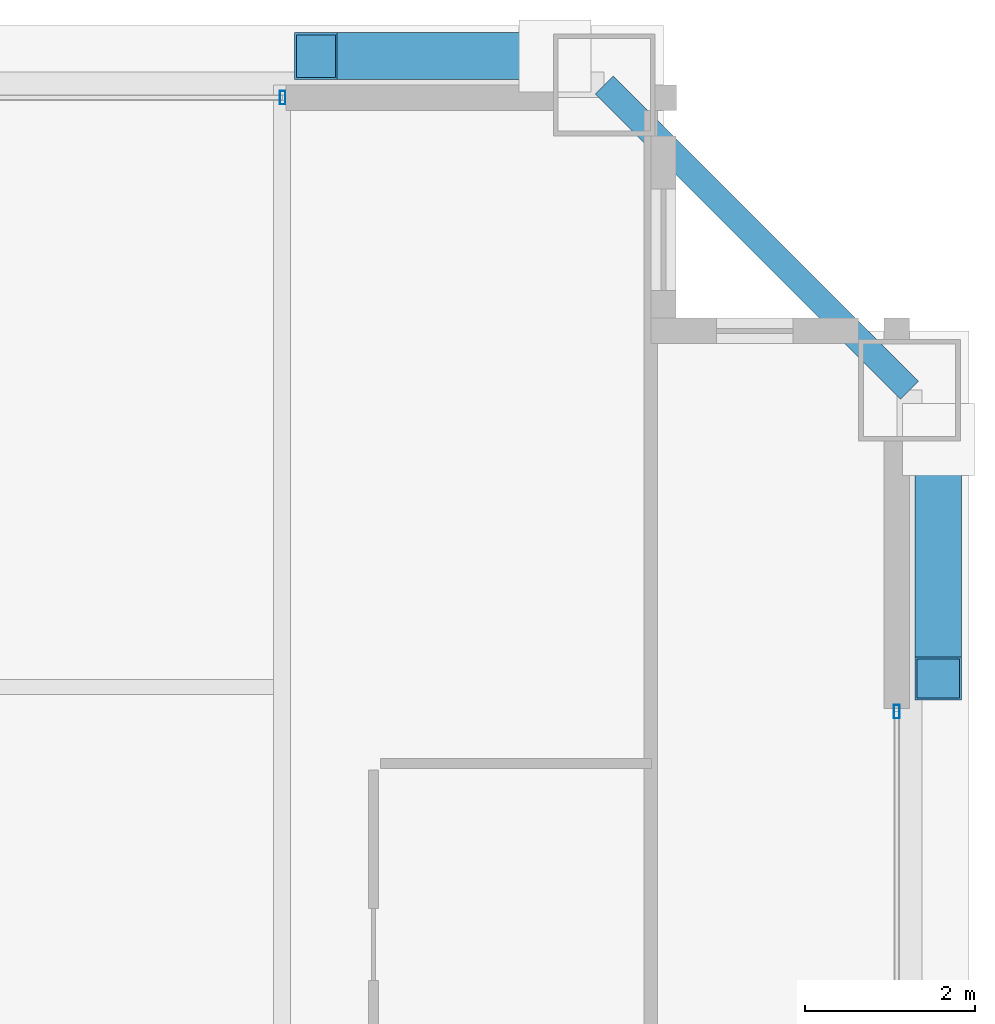
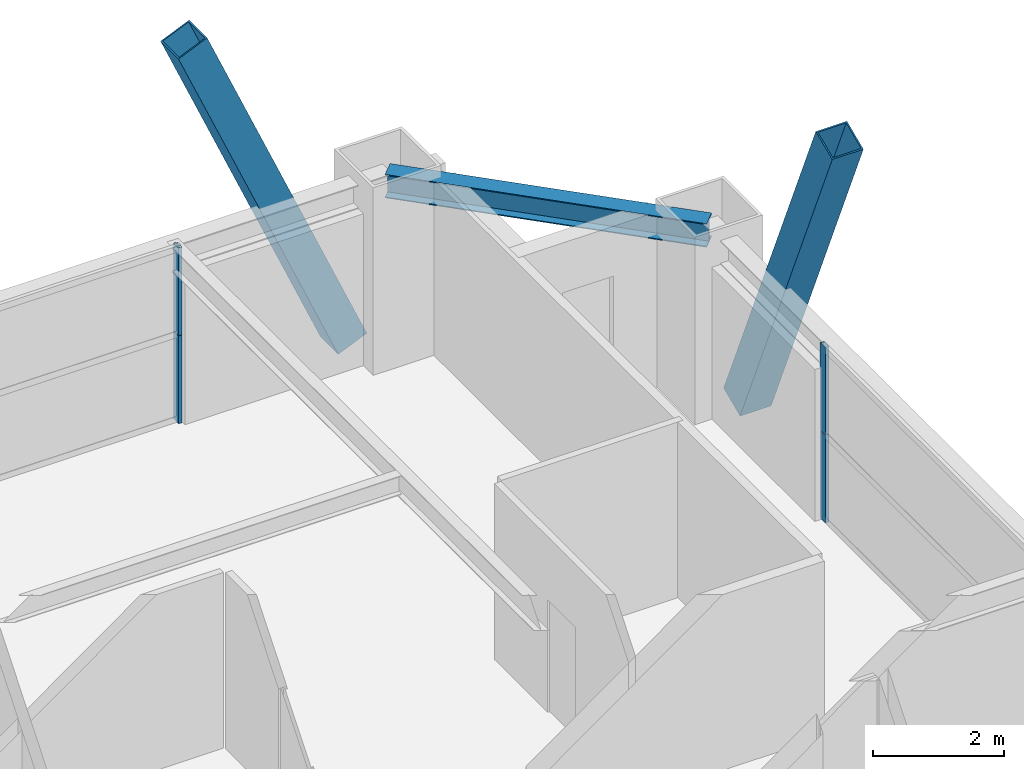
# One storey, part 28 of 34: 6 members, 1 beam, 2 elements without a shape of their own.
"""IFC4 building model written with IfcOpenShell, lengths in metres."""

import ifcopenshell
import ifcopenshell.guid

model = None  # the IFC model being written
_history = None  # IfcOwnerHistory: only IFC2X3 demands one
_inside = {}  # id of a spatial element -> (the spatial element, [elements in it])
_under = {}  # id of a project, library or spatial element -> (it, [spatial elements below it])
_declared = {}  # id of a project -> (the project, [libraries it declares])
_typed = {}  # id of a type object -> (the type object, [elements of that type])
_made_of = {}  # id of a material, layer set ... -> (it, [elements and type objects made of it])


def new_model(schema):
    """Start an empty IFC model of exactly this schema.

    Asked for "IFC4X3", IfcOpenShell would pick the latest addendum, in which some entities
    have other attributes; the version numbers below select the first issue.
    IFC2X3 requires an IfcOwnerHistory on every rooted entity: one is made here for all.
    """
    global model, _history
    if schema == "IFC4X3":
        model = ifcopenshell.file(schema_version=(4, 3, 0, 0))
    else:
        model = ifcopenshell.file(schema=schema)
    _inside.clear()
    _under.clear()
    _declared.clear()
    _typed.clear()
    _made_of.clear()
    _history = None
    if model.schema == "IFC2X3":
        org = make("IfcOrganization", Name="unknown")
        user = make(
            "IfcPersonAndOrganization",
            ThePerson=make("IfcPerson", FamilyName="unknown"),
            TheOrganization=org,
        )
        app = make(
            "IfcApplication",
            ApplicationDeveloper=org,
            Version="unknown",
            ApplicationFullName="unknown",
            ApplicationIdentifier="unknown",
        )
        _history = make(
            "IfcOwnerHistory",
            OwningUser=user,
            OwningApplication=app,
            ChangeAction="ADDED",
            CreationDate=0,
        )
    return model


def make(cls, **values):
    """One entity of the class cls with the attributes given. An attribute that is None is left unset."""
    return model.create_entity(
        cls, **{name: value for name, value in values.items() if value is not None}
    )


def rooted(cls, **values):
    """An entity with a GlobalId (a new one), such as an element, a storey or a relation."""
    return make(cls, GlobalId=ifcopenshell.guid.new(), OwnerHistory=_history, **values)


def si_unit(unit_type, name, prefix=None):
    """IfcSIUnit, for example si_unit("LENGTHUNIT", "METRE", prefix="MILLI")."""
    return make("IfcSIUnit", UnitType=unit_type, Prefix=prefix, Name=name)


def assignment(units):
    """IfcUnitAssignment: the units of a project."""
    return None if units is None else make("IfcUnitAssignment", Units=units)


def point(xyz):
    """IfcCartesianPoint."""
    return None if xyz is None else make("IfcCartesianPoint", Coordinates=xyz)


def direction(xyz):
    """IfcDirection."""
    return None if xyz is None else make("IfcDirection", DirectionRatios=xyz)


def frame(location, z_axis=None, x_axis=None):
    """IfcAxis2Placement3D, a coordinate frame: its origin and axes. An axis left out is left unset."""
    return make(
        "IfcAxis2Placement3D",
        Location=point(location),
        Axis=direction(z_axis),
        RefDirection=direction(x_axis),
    )


def frame_2d(location, x_axis=None):
    """IfcAxis2Placement2D, a coordinate frame in the plane: its origin and x axis."""
    return make(
        "IfcAxis2Placement2D", Location=point(location), RefDirection=direction(x_axis)
    )


def origin():
    """The frame at (0, 0, 0) with its axes left unset."""
    return frame((0.0, 0.0, 0.0))


def origin_2d():
    """The frame at (0, 0) in the plane with its x axis left unset."""
    return frame_2d((0.0, 0.0))


def place(relative_to, where):
    """IfcLocalPlacement: puts the frame where relative to a parent placement (None: the world)."""
    return make(
        "IfcLocalPlacement", PlacementRelTo=relative_to, RelativePlacement=where
    )


def context(
    kind, dimensions, precision=None, world=None, true_north=None, identifier=None
):
    """IfcGeometricRepresentationContext, for example the 3D "Model" context."""
    return make(
        "IfcGeometricRepresentationContext",
        ContextIdentifier=identifier,
        ContextType=kind,
        CoordinateSpaceDimension=dimensions,
        Precision=precision,
        WorldCoordinateSystem=world,
        TrueNorth=true_north,
    )


def subcontext(parent, identifier, kind, view, scale=None):
    """IfcGeometricRepresentationSubContext, for example "Body" below "Model"."""
    return make(
        "IfcGeometricRepresentationSubContext",
        ContextIdentifier=identifier,
        ContextType=kind,
        ParentContext=parent,
        TargetScale=scale,
        TargetView=view,
    )


def project(units=None, contexts=None):
    """IfcProject with its units and contexts."""
    return rooted(
        "IfcProject",
        Name="project",
        RepresentationContexts=contexts,
        UnitsInContext=assignment(units),
    )


def spatial(cls, under=None, at=None, **own):
    """A site, building, storey or space (cls), placed at a placement, below another one or the project."""
    s = rooted(cls, ObjectPlacement=at, **own)
    if under is not None:
        _under.setdefault(under.id(), (under, []))[1].append(s)
    return s


def profile(cls, at=None, kind="AREA", **sizes):
    """A parametric profile (cls). Its sizes go by their IFC names, for example OverallWidth=200.0."""
    return make(cls, ProfileType=kind, Position=at, **sizes)


def hollow_rectangle(**sizes):
    """IfcRectangleHollowProfileDef."""
    return profile("IfcRectangleHollowProfileDef", **sizes)


def i_section(**sizes):
    """IfcIShapeProfileDef."""
    return profile("IfcIShapeProfileDef", **sizes)


def extrude(swept, where, along, depth):
    """IfcExtrudedAreaSolid: the profile swept, set in the frame where, extruded along a direction by depth."""
    return make(
        "IfcExtrudedAreaSolid",
        SweptArea=swept,
        Position=where,
        ExtrudedDirection=direction(along),
        Depth=depth,
    )


def shape(context_of_items, identifier, shape_type, items):
    """IfcShapeRepresentation: the items that make up one representation, for example the "Body"."""
    return make(
        "IfcShapeRepresentation",
        ContextOfItems=context_of_items,
        RepresentationIdentifier=identifier,
        RepresentationType=shape_type,
        Items=items,
    )


def source(mapping_origin, context_of_items, identifier, shape_type, items):
    """IfcRepresentationMap: a shape defined once, which mapped items show again and again."""
    return make(
        "IfcRepresentationMap",
        MappingOrigin=mapping_origin,
        MappedRepresentation=shape(context_of_items, identifier, shape_type, items),
    )


def transform(
    local_origin,
    x_axis=None,
    y_axis=None,
    z_axis=None,
    scale=None,
    scale2=None,
    scale3=None,
    uniform=True,
):
    """IfcCartesianTransformationOperator3D, or its non-uniform kind. x_axis, y_axis, z_axis: its Axis1, 2, 3."""
    if uniform:
        return make(
            "IfcCartesianTransformationOperator3D",
            Axis1=direction(x_axis),
            Axis2=direction(y_axis),
            LocalOrigin=point(local_origin),
            Scale=scale,
            Axis3=direction(z_axis),
        )
    return make(
        "IfcCartesianTransformationOperator3DnonUniform",
        Axis1=direction(x_axis),
        Axis2=direction(y_axis),
        LocalOrigin=point(local_origin),
        Scale=scale,
        Axis3=direction(z_axis),
        Scale2=scale2,
        Scale3=scale3,
    )


def mapped(mapping_source, mapping_target):
    """IfcMappedItem: shows the shape of a source again, moved by a transform."""
    return make(
        "IfcMappedItem", MappingSource=mapping_source, MappingTarget=mapping_target
    )


def material(Name=None, Category=None):
    """IfcMaterial."""
    return make("IfcMaterial", Name=Name, Category=Category)


def layer(
    of_material, thickness, ventilated=None, Name=None, Category=None, Priority=None
):
    """IfcMaterialLayer: one layer of a wall or slab, of a material (None: an air gap)."""
    return make(
        "IfcMaterialLayer",
        Material=of_material,
        LayerThickness=thickness,
        IsVentilated=ventilated,
        Name=Name,
        Category=Category,
        Priority=Priority,
    )


def layer_set(layers, Name=None):
    """IfcMaterialLayerSet."""
    return make("IfcMaterialLayerSet", MaterialLayers=layers, LayerSetName=Name)


def material_profile(
    of_material, cross_section, Name=None, Category=None, Priority=None
):
    """IfcMaterialProfile: a cross section and its material."""
    return make(
        "IfcMaterialProfile",
        Name=Name,
        Material=of_material,
        Profile=cross_section,
        Priority=Priority,
        Category=Category,
    )


def profile_set(profiles, Name=None, composite=None):
    """IfcMaterialProfileSet."""
    return make(
        "IfcMaterialProfileSet",
        Name=Name,
        MaterialProfiles=profiles,
        CompositeProfile=composite,
    )


def made_of(thing, what):
    """Note that an element or type object is made of a material, layer set ...; save() writes the relation."""
    if what is not None:
        _made_of.setdefault(what.id(), (what, []))[1].append(thing)
    return thing


def type_object(cls, material=None, **own):
    """A type object (cls), such as IfcWallType, which elements share."""
    return made_of(rooted(cls, **own), material)


def element(
    cls,
    number,
    at=None,
    inside=None,
    cuts=None,
    type_object=None,
    material=None,
    context=None,
    identifier="Body",
    shape_type=None,
    held_by="IfcProductDefinitionShape",
    body=None,
    shapes=None,
    **own,
):
    """One element of the class cls, such as IfcWall. Its Tag is "e" and its number.

    at: its placement. inside: the storey or other place that contains it. cuts: it is an
    opening in that element (IfcRelVoidsElement). A single representation is given by context,
    identifier, shape_type and body (its items); several are given by shapes. held_by: the class
    of the entity that holds the representations. save() writes the other relations.
    """
    e = rooted(cls, Tag="e%d" % number, ObjectPlacement=at, **own)
    if body is not None:
        shapes = [shape(context, identifier, shape_type, body)]
    if shapes is not None:
        e.Representation = make(held_by, Representations=shapes)
    if inside is not None:
        _inside.setdefault(inside.id(), (inside, []))[1].append(e)
    if cuts is not None:
        rooted(
            "IfcRelVoidsElement", RelatingBuildingElement=cuts, RelatedOpeningElement=e
        )
    if type_object is not None:
        _typed.setdefault(type_object.id(), (type_object, []))[1].append(e)
    return made_of(e, material)


def aggregate(whole, parts):
    """IfcRelAggregates: a whole, such as a stair, and the parts it consists of."""
    return rooted("IfcRelAggregates", RelatingObject=whole, RelatedObjects=parts)


def save(model, path):
    """Write the relations noted so far, then the file.

    IfcRelAggregates (storeys below a building ...), IfcRelContainedInSpatialStructure (elements
    in a storey), IfcRelDefinesByType, IfcRelAssociatesMaterial and IfcRelDeclares: one each for
    every whole, place, type object, material and project.
    """
    for whole, parts in _under.values():
        aggregate(whole, parts)
    for where, things in _inside.values():
        rooted(
            "IfcRelContainedInSpatialStructure",
            RelatedElements=things,
            RelatingStructure=where,
        )
    for kind, things in _typed.values():
        rooted("IfcRelDefinesByType", RelatedObjects=things, RelatingType=kind)
    for what, things in _made_of.values():
        rooted("IfcRelAssociatesMaterial", RelatedObjects=things, RelatingMaterial=what)
    for by, libraries in _declared.values():
        rooted("IfcRelDeclares", RelatingContext=by, RelatedDefinitions=libraries)
    model.write(path)


model = new_model("IFC4")

# Units and contexts
model_context = context("Model", 3, precision=1e-05, world=origin(), true_north=direction((0.0, 1.0)))
body_context = subcontext(model_context, "Body", "Model", "MODEL_VIEW")
ifc_project = project(units=[si_unit("LENGTHUNIT", "METRE"), si_unit("AREAUNIT", "SQUARE_METRE"), si_unit("VOLUMEUNIT", "CUBIC_METRE"), si_unit("PLANEANGLEUNIT", "RADIAN"), si_unit("MASSUNIT", "GRAM", prefix="KILO"), si_unit("THERMODYNAMICTEMPERATUREUNIT", "KELVIN"), si_unit("POWERUNIT", "WATT")], contexts=[model_context])

# Site, building, storey
site_placement = place(None, origin())
site = spatial("IfcSite", under=ifc_project, at=site_placement, CompositionType="ELEMENT")
building_placement = place(site_placement, origin())
building = spatial("IfcBuilding", under=site, at=building_placement, Name="Yuzanri Waterfront Tower", CompositionType="ELEMENT")
storey_placement = place(building_placement, frame((0.0, 0.0, 241.60009765625)))
storey = spatial("IfcBuildingStorey", under=building, at=storey_placement, Name="L64", CompositionType="ELEMENT", Elevation=241.60009765625)

# Beam
ifc_material_1 = material(Name="Steel Q355B", Category="steel")
ifc_material_profile_1 = material_profile(ifc_material_1, i_section(OverallWidth=0.300048828125, OverallDepth=0.43994140625, WebThickness=0.010986328125, FlangeThickness=0.01806640625, at=origin_2d()), Name="HM 440x300x11x18")
ifc_profile_set_1 = profile_set([ifc_material_profile_1], Name="Steel Q355B")
beam_type = type_object("IfcBeamType", Name="Perimeter Spandrel Q355B HM 440x300", PredefinedType="SPANDREL", material=ifc_profile_set_1)
shared_shape_1 = source(origin(), body_context, "Body", "SweptSolid", [
    extrude(i_section(OverallWidth=0.300048828125, OverallDepth=0.43994140625, WebThickness=0.010986328125, FlangeThickness=0.01806640625, at=origin_2d()), origin(), (0.0, 0.0, 1.0), 5.091064453125),
])
beam_placement = place(storey_placement, frame((57.60009765625, 42.800048828125, 3.059814453125), z_axis=(-0.707130757816, 0.707082803744, 0.0), x_axis=(-0.707082803744, -0.707130757816, 0.0)))
element("IfcBeam", 1, at=beam_placement, inside=storey, type_object=beam_type, Name="L64 Perimeter Spandrel E3-N3", PredefinedType="SPANDREL", context=body_context, shape_type="MappedRepresentation", body=[
    mapped(shared_shape_1, transform((0.0, 0.0, 0.0), scale=1.0)),
])

# Members
ifc_material_2 = material(Name="Steel Q390GJC", Category="steel")
ifc_material_profile_2 = material_profile(ifc_material_2, hollow_rectangle(XDim=0.550048828125, YDim=0.550048828125, WallThickness=0.02490234375, at=origin_2d()), Name="RHS 550x550x25")
ifc_profile_set_2 = profile_set([ifc_material_profile_2], Name="Steel Q390GJC")
member_type_1 = type_object("IfcMemberType", Name="Mega Brace Mid Q390GJC RHS 550x550x25", PredefinedType="BRACE", material=ifc_profile_set_2)
shared_shape_2 = source(origin(), body_context, "Body", "SweptSolid", [
    extrude(hollow_rectangle(XDim=0.550048828125, YDim=0.550048828125, WallThickness=0.02490234375, at=origin_2d()), origin(), (0.0, 0.0, 1.0), 7.085205078125),
])
member_1_placement = place(storey_placement, frame((53.419921875, 46.739990234375, 0.179931640625), z_axis=(-0.397982599681, 0.0, 0.917392963975), x_axis=(0.0, -1.0, 0.0)))
element("IfcMember", 2, at=member_1_placement, inside=storey, type_object=member_type_1, Name="L64-L65 Perimeter Mega-Brace N-R", PredefinedType="BRACE", context=body_context, shape_type="MappedRepresentation", body=[
    mapped(shared_shape_2, transform((0.0, 0.0, 0.0), scale=1.0)),
])
shared_shape_3 = source(origin(), body_context, "Body", "SweptSolid", [
    extrude(hollow_rectangle(XDim=0.550048828125, YDim=0.550048828125, WallThickness=0.02490234375, at=origin_2d()), origin(), (0.0, 0.0, 1.0), 7.08544921875),
])
member_2_placement = place(storey_placement, frame((57.93994140625, 42.219970703125, 0.179931640625), z_axis=(0.0, -0.398011598745, 0.917380383082), x_axis=(1.0, 0.0, 0.0)))
element("IfcMember", 3, at=member_2_placement, inside=storey, type_object=member_type_1, Name="L64-L65 Perimeter Mega-Brace E-R", PredefinedType="BRACE", context=body_context, shape_type="MappedRepresentation", body=[
    mapped(shared_shape_3, transform((0.0, 0.0, 0.0), scale=1.0)),
])

# Curtain wall, members
ifc_material_3 = material(Name="Anodized Architectural Bronze", Category="metal")
ifc_layer = layer(ifc_material_3, 0.159912109375)
ifc_layer_set = layer_set([ifc_layer], Name="Anodized Architectural Bronze")
curtain_wall_type = type_object("IfcCurtainWallType", Name="Anodized Bronze Mid-Rise Residential Acoustic Unitized Curtain Wall 7200", PredefinedType="NOTDEFINED", material=ifc_layer_set)
curtain_wall_1_placement = place(storey_placement, origin())
curtain_wall_1 = element("IfcCurtainWall", 4, at=curtain_wall_1_placement, inside=storey, type_object=curtain_wall_type, Name="L64 Curtain Wall CW-L64-NR", PredefinedType="NOTDEFINED")
ifc_material_4 = material(Name="Anodized Architectural Bronze", Category="metal")
ifc_material_profile_3 = material_profile(ifc_material_4, hollow_rectangle(XDim=0.06494140625, YDim=0.159912109375, WallThickness=0.00341796875, at=origin_2d()), Name="CWM 65x160")
ifc_profile_set_3 = profile_set([ifc_material_profile_3], Name="Anodized Architectural Bronze")
member_type_2 = type_object("IfcMemberType", Name="Anodized Bronze Upper-Zone Curtain-Wall Mullion 65x160", PredefinedType="MULLION", material=ifc_profile_set_3)
shared_shape_4 = source(origin(), body_context, "Body", "SweptSolid", [
    extrude(hollow_rectangle(XDim=0.06494140625, YDim=0.159912109375, WallThickness=0.00341796875, at=origin_2d()), origin(), (0.0, 0.0, 1.0), 1.637939453125),
])
member_3_placement = place(storey_placement, frame((50.2099609375, 46.25, 0.0), z_axis=(0.0, 0.0, 1.0), x_axis=(1.0, 0.0, 0.0)))
member_3 = element("IfcMember", 5, at=member_3_placement, type_object=member_type_2, Name="CW-L64-NR Lower Mullion 02", PredefinedType="MULLION", context=body_context, shape_type="MappedRepresentation", body=[
    mapped(shared_shape_4, transform((0.0, 0.0, 0.0), scale=1.0)),
])
member_4_placement = place(storey_placement, frame((50.2099609375, 46.25, 1.641845703125), z_axis=(0.0, 0.0, 1.0), x_axis=(1.0, 0.0, 0.0)))
member_4 = element("IfcMember", 6, at=member_4_placement, type_object=member_type_2, Name="CW-L64-NR Upper Mullion 02", PredefinedType="MULLION", context=body_context, shape_type="MappedRepresentation", body=[
    mapped(shared_shape_4, transform((0.0, 0.0, 0.0), scale=1.0)),
])
aggregate(curtain_wall_1, [member_3, member_4])

curtain_wall_2_placement = place(storey_placement, origin())
curtain_wall_2 = element("IfcCurtainWall", 7, at=curtain_wall_2_placement, inside=storey, type_object=curtain_wall_type, Name="L64 Curtain Wall CW-L64-ER", PredefinedType="NOTDEFINED")
member_5_placement = place(storey_placement, frame((57.449951171875, 39.010009765625, 0.0), z_axis=(0.0, 0.0, 1.0), x_axis=(1.0, 0.0, 0.0)))
member_5 = element("IfcMember", 8, at=member_5_placement, type_object=member_type_2, Name="CW-L64-ER Lower Mullion 02", PredefinedType="MULLION", context=body_context, shape_type="MappedRepresentation", body=[
    mapped(shared_shape_4, transform((0.0, 0.0, 0.0), scale=1.0)),
])
member_6_placement = place(storey_placement, frame((57.449951171875, 39.010009765625, 1.641845703125), z_axis=(0.0, 0.0, 1.0), x_axis=(1.0, 0.0, 0.0)))
member_6 = element("IfcMember", 9, at=member_6_placement, type_object=member_type_2, Name="CW-L64-ER Upper Mullion 02", PredefinedType="MULLION", context=body_context, shape_type="MappedRepresentation", body=[
    mapped(shared_shape_4, transform((0.0, 0.0, 0.0), scale=1.0)),
])
aggregate(curtain_wall_2, [member_5, member_6])

save(model, "model.ifc")
